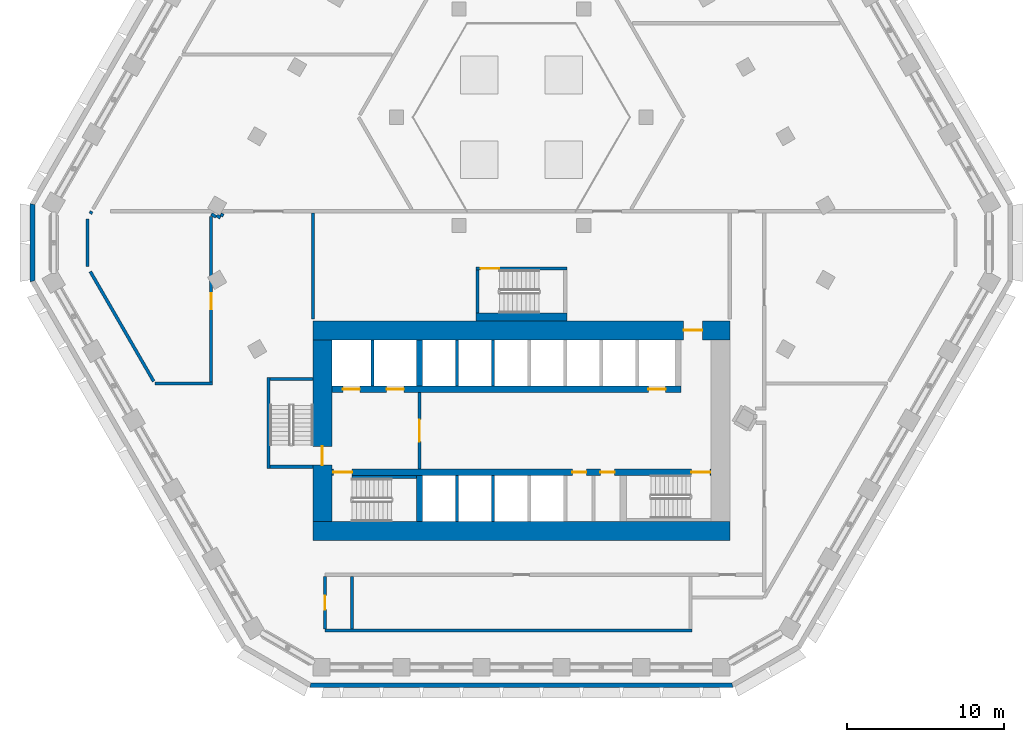
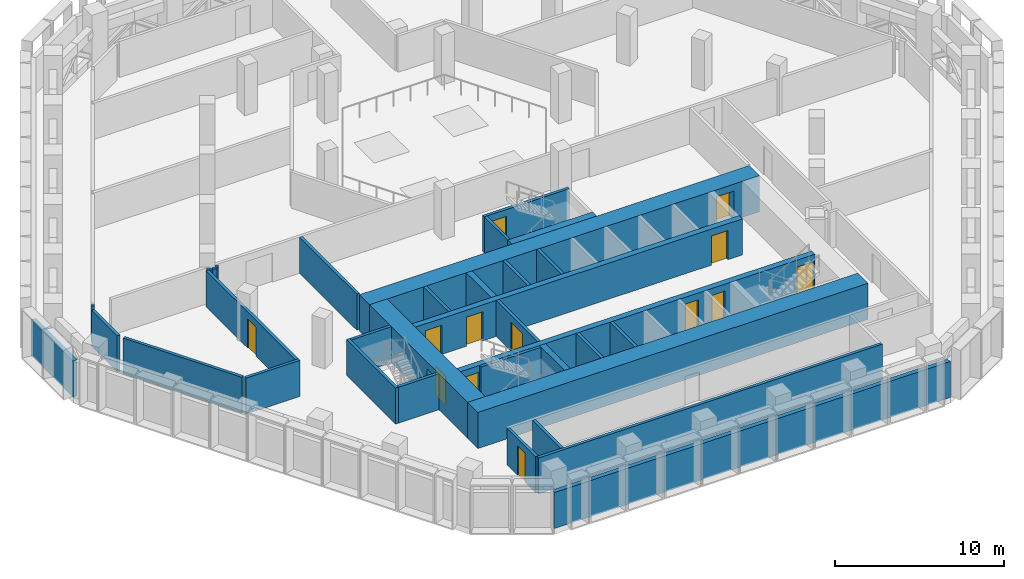
# One storey, part 11 of 22: 34 walls, 13 doors, 13 openings.
"""IFC4 building model written with IfcOpenShell, lengths in metres."""

from ifc_helpers import new_model, si_unit, direction, frame, frame_2d, origin, place, context, subcontext, project, spatial, polyline, rectangle, outline, extrude, material, layer, layer_set, type_object, element, fill, save


model = new_model("IFC4")

# Units and contexts
model_context = context("Model", 3, precision=1e-05, world=origin(), true_north=direction((0.0, 1.0)))
body_context = subcontext(model_context, "Body", "Model", "MODEL_VIEW")
ifc_project = project(units=[si_unit("LENGTHUNIT", "METRE"), si_unit("AREAUNIT", "SQUARE_METRE"), si_unit("VOLUMEUNIT", "CUBIC_METRE"), si_unit("PLANEANGLEUNIT", "RADIAN"), si_unit("MASSUNIT", "GRAM", prefix="KILO")], contexts=[model_context])

# Site, building, storey
site_placement = place(None, origin())
site = spatial("IfcSite", under=ifc_project, at=site_placement, CompositionType="ELEMENT")
building_placement = place(site_placement, origin())
building = spatial("IfcBuilding", under=site, at=building_placement, Name="Beryl Residences", CompositionType="ELEMENT")
storey_placement = place(building_placement, frame((0.0, 0.0, 62.39990234375)))
storey = spatial("IfcBuildingStorey", under=building, at=storey_placement, Name="L19", CompositionType="ELEMENT", Elevation=62.39990234375)

# Walls
ifc_material_1 = material(Name="Composite metal panel with mineral wool insulation")
ifc_layer_1 = layer(ifc_material_1, 0.300048828125)
ifc_layer_set_1 = layer_set([ifc_layer_1], Name="ES1 pale metal composite panel wall 300 mm")
wall_type_1 = type_object("IfcWallType", Name="ES1 pale metal composite panel wall 300 mm", PredefinedType="SOLIDWALL", material=ifc_layer_set_1)
wall_1_placement = place(storey_placement, frame((-31.199951171875, 2.5, 0.0), z_axis=(0.0, 0.0, 1.0), x_axis=(0.0, -1.0, 0.0)))
element("IfcWall", 1, at=wall_1_placement, inside=storey, type_object=wall_type_1, Name="ES1 external wall L19 NW-SW", PredefinedType="SOLIDWALL", context=body_context, shape_type="SweptSolid", body=[
    extrude(outline(polyline([(0.0, -0.14990234375), (5.0, -0.14990234375), (4.919677734375, 0.14990234375), (0.080322265625, 0.14990234375), (0.0, -0.14990234375)])), origin(), (0.0, 0.0, 1.0), 2.60009765625),
])
wall_2_placement = place(storey_placement, frame((-13.510009765625, -28.25, 0.0), z_axis=(0.0, 0.0, 1.0), x_axis=(1.0, 0.0, 0.0)))
element("IfcWall", 2, at=wall_2_placement, inside=storey, type_object=wall_type_1, Name="ES1 external wall L19 S", PredefinedType="SOLIDWALL", context=body_context, shape_type="SweptSolid", body=[
    extrude(outline(polyline([(0.0, -0.14990234375), (27.02001953125, -0.14990234375), (26.939697265625, 0.14990234375), (0.080322265625, 0.14990234375), (0.0, -0.14990234375)])), origin(), (0.0, 0.0, 1.0), 2.60009765625),
])

# Wall, opening, door
ifc_material_2 = material(Name="Cement board with tiles")
ifc_layer_2 = layer(ifc_material_2, 0.199951171875)
ifc_layer_set_2 = layer_set([ifc_layer_2], Name="PT11-200 wet area wall 200 mm")
wall_type_2 = type_object("IfcWallType", Name="PT11-200 wet area wall 200 mm", PredefinedType="PARTITIONING", material=ifc_layer_set_2)
wall_3_placement = place(storey_placement, frame((-12.531982421875, -24.64990234375, 0.0), z_axis=(0.0, 0.0, 1.0), x_axis=(0.0, 1.0, 0.0)))
wall_3 = element("IfcWall", 3, at=wall_3_placement, inside=storey, type_object=wall_type_2, Name="Wall PT11-200 L19 002", PredefinedType="PARTITIONING", context=body_context, shape_type="SweptSolid", body=[
    extrude(rectangle(XDim=3.349853515625, YDim=0.199951171875, at=frame_2d((1.6748046875, 0.0))), origin(), (0.0, 0.0, 1.0), 2.60009765625),
])
opening_1_placement = place(wall_3_placement, frame((2.125, 0.0, 0.0), z_axis=(0.0, 0.0, 1.0), x_axis=(-1.0, 0.0, 0.0)))
opening_1 = element("IfcOpeningElement", 4, at=opening_1_placement, cuts=wall_3, Name="Opening L19-01", PredefinedType="OPENING", context=body_context, shape_type="SweptSolid", body=[
    extrude(rectangle(XDim=0.89990234375, YDim=2.10009765625, at=frame_2d((0.449951171875, 1.050048828125))), frame((0.0, 0.10986328125, 0.0), z_axis=(0.0, -1.0, 0.0), x_axis=(1.0, 0.0, 0.0)), (0.0, 0.0, 1.0), 0.219970703125),
])
ifc_material_3 = material(Name="Timber door leaf", Category="wood")
door_type_1 = type_object("IfcDoorType", Name="D2 room door 900 x 2100 mm", OperationType="SINGLE_SWING_LEFT", PredefinedType="DOOR", material=ifc_material_3)
door_1_placement = place(opening_1_placement, origin())
door_1 = element("IfcDoor", 5, at=door_1_placement, inside=storey, type_object=door_type_1, Name="Door L19-01 L19 001", OperationType="SINGLE_SWING_RIGHT", OverallHeight=2.10009765625, OverallWidth=0.89990234375, PredefinedType="DOOR", context=body_context, shape_type="SweptSolid", body=[
    extrude(rectangle(XDim=0.89990234375, YDim=2.10009765625, at=frame_2d((0.449951171875, 1.050048828125))), frame((0.0, 0.02490234375, 0.0), z_axis=(0.0, -1.0, 0.0), x_axis=(1.0, 0.0, 0.0)), (0.0, 0.0, 1.0), 0.050048828125),
])
fill(opening_1, door_1)

ifc_material_4 = material(Name="Concrete masonry", Category="masonry")
ifc_layer_3 = layer(ifc_material_4, 0.199951171875)
ifc_layer_set_3 = layer_set([ifc_layer_3], Name="PT13 lobby wall 200 mm")
wall_type_3 = type_object("IfcWallType", Name="PT13 lobby wall 200 mm", PredefinedType="PARTITIONING", material=ifc_layer_set_3)
wall_4_placement = place(storey_placement, frame((-6.5, -14.449951171875, 0.0), z_axis=(0.0, 0.0, 1.0), x_axis=(0.0, 1.0, 0.0)))
wall_4 = element("IfcWall", 6, at=wall_4_placement, inside=storey, type_object=wall_type_3, Name="Lobby wall 06", PredefinedType="PARTITIONING", context=body_context, shape_type="SweptSolid", body=[
    extrude(rectangle(XDim=4.89990234375, YDim=0.199951171875, at=frame_2d((2.449951171875, 0.0))), origin(), (0.0, 0.0, 1.0), 2.60009765625),
])
opening_2_placement = place(wall_4_placement, frame((3.14990234375, 0.0, 0.0), z_axis=(0.0, 0.0, 1.0), x_axis=(-1.0, 0.0, 0.0)))
opening_2 = element("IfcOpeningElement", 7, at=opening_2_placement, cuts=wall_4, Name="Opening FD-FFL", PredefinedType="OPENING", context=body_context, shape_type="SweptSolid", body=[
    extrude(rectangle(XDim=1.39990234375, YDim=2.10009765625, at=frame_2d((0.699951171875, 1.050048828125))), frame((0.0, 0.10986328125, 0.0), z_axis=(0.0, -1.0, 0.0), x_axis=(1.0, 0.0, 0.0)), (0.0, 0.0, 1.0), 0.219970703125),
])
ifc_material_5 = material(Name="Steel door leaf in steel frame", Category="steel")
door_type_2 = type_object("IfcDoorType", Name="D5 lobby door 1400 x 2100 mm", OperationType="DOUBLE_DOOR_SINGLE_SWING", PredefinedType="DOOR", material=ifc_material_5)
door_2_placement = place(opening_2_placement, origin())
door_2 = element("IfcDoor", 8, at=door_2_placement, inside=storey, type_object=door_type_2, Name="Door FD-FFL L19 001", OperationType="DOUBLE_DOOR_SINGLE_SWING", OverallHeight=2.10009765625, OverallWidth=1.39990234375, PredefinedType="DOOR", context=body_context, shape_type="SweptSolid", body=[
    extrude(rectangle(XDim=1.39990234375, YDim=2.10009765625, at=frame_2d((0.699951171875, 1.050048828125))), frame((0.0, 0.02490234375, 0.0), z_axis=(0.0, -1.0, 0.0), x_axis=(1.0, 0.0, 0.0)), (0.0, 0.0, 1.0), 0.050048828125),
])
fill(opening_2, door_2)

# Wall
ifc_material_6 = material(Name="Double stud gypsum board wall")
ifc_layer_4 = layer(ifc_material_6, 0.199951171875)
ifc_layer_set_4 = layer_set([ifc_layer_4], Name="PT4 corridor wall 200 mm double stud")
wall_type_4 = type_object("IfcWallType", Name="PT4 corridor wall 200 mm double stud", PredefinedType="PARTITIONING", material=ifc_layer_set_4)
wall_5_placement = place(storey_placement, frame((-13.300048828125, -4.8798828125, 0.0), z_axis=(0.0, 0.0, 1.0), x_axis=(0.0, 1.0, 0.0)))
element("IfcWall", 9, at=wall_5_placement, inside=storey, type_object=wall_type_4, Name="Wall PT4 L19 001", PredefinedType="PARTITIONING", context=body_context, shape_type="SweptSolid", body=[
    extrude(rectangle(XDim=6.77978515625, YDim=0.199951171875, at=frame_2d((3.389892578125, 0.0))), origin(), (0.0, 0.0, 1.0), 2.60009765625),
])

# Wall, opening, door
ifc_material_7 = material(Name="Concrete C40/50", Category="concrete")
ifc_layer_5 = layer(ifc_material_7, 0.199951171875)
ifc_layer_set_5 = layer_set([ifc_layer_5], Name="PT5 stair enclosure wall 200 mm reinforced concrete C40/50")
wall_type_5 = type_object("IfcWallType", Name="PT5 stair enclosure wall 200 mm reinforced concrete C40/50", PredefinedType="SOLIDWALL", material=ifc_layer_set_5)
wall_6_placement = place(storey_placement, frame((-2.89990234375, -1.64990234375, 0.0), z_axis=(0.0, 0.0, 1.0), x_axis=(1.0, 0.0, 0.0)))
wall_6 = element("IfcWall", 10, at=wall_6_placement, inside=storey, type_object=wall_type_5, Name="Wall PT5 L19 001", PredefinedType="SOLIDWALL", context=body_context, shape_type="SweptSolid", body=[
    extrude(rectangle(XDim=5.7998046875, YDim=0.199951171875, at=frame_2d((2.89990234375, 0.0))), origin(), (0.0, 0.0, 1.0), 2.60009765625),
])
opening_3_placement = place(wall_6_placement, frame((0.300048828125, 0.0, 0.0)))
opening_3 = element("IfcOpeningElement", 11, at=opening_3_placement, cuts=wall_6, Name="Opening DS04", PredefinedType="OPENING", context=body_context, shape_type="SweptSolid", body=[
    extrude(rectangle(XDim=1.199951171875, YDim=2.10009765625, at=frame_2d((0.60009765625, 1.050048828125))), frame((0.0, 0.10986328125, 0.0), z_axis=(0.0, -1.0, 0.0), x_axis=(1.0, 0.0, 0.0)), (0.0, 0.0, 1.0), 0.219970703125),
])
ifc_material_8 = material(Name="Steel door leaf in steel frame", Category="steel")
door_type_3 = type_object("IfcDoorType", Name="D4 stair door 1200 x 2100 mm", OperationType="SINGLE_SWING_LEFT", PredefinedType="DOOR", material=ifc_material_8)
door_3_placement = place(opening_3_placement, origin())
door_3 = element("IfcDoor", 12, at=door_3_placement, inside=storey, type_object=door_type_3, Name="Door DS04 L19 001", OperationType="SINGLE_SWING_LEFT", OverallHeight=2.10009765625, OverallWidth=1.199951171875, PredefinedType="DOOR", context=body_context, shape_type="SweptSolid", body=[
    extrude(rectangle(XDim=1.199951171875, YDim=2.10009765625, at=frame_2d((0.60009765625, 1.050048828125))), frame((0.0, 0.02490234375, 0.0), z_axis=(0.0, -1.0, 0.0), x_axis=(1.0, 0.0, 0.0)), (0.0, 0.0, 1.0), 0.050048828125),
])
fill(opening_3, door_3)

# Walls
wall_7_placement = place(storey_placement, frame((-2.800048828125, -4.5, 0.0), z_axis=(0.0, 0.0, 1.0), x_axis=(0.0, 1.0, 0.0)))
element("IfcWall", 13, at=wall_7_placement, inside=storey, type_object=wall_type_5, Name="Wall PT5 L19 002", PredefinedType="SOLIDWALL", context=body_context, shape_type="SweptSolid", body=[
    extrude(rectangle(XDim=2.75, YDim=0.199951171875, at=frame_2d((1.375, 0.0))), origin(), (0.0, 0.0, 1.0), 2.60009765625),
])
wall_8_placement = place(storey_placement, frame((-16.14990234375, -14.39990234375, 0.0), z_axis=(0.0, 0.0, 1.0), x_axis=(0.0, 1.0, 0.0)))
element("IfcWall", 14, at=wall_8_placement, inside=storey, type_object=wall_type_5, Name="Stair wall 01", PredefinedType="SOLIDWALL", context=body_context, shape_type="SweptSolid", body=[
    extrude(rectangle(XDim=5.7998046875, YDim=0.199951171875, at=frame_2d((2.89990234375, 0.0))), origin(), (0.0, 0.0, 1.0), 2.60009765625),
])
for number, where, z_axis, x_axis, name in (
    (15, (-16.050048828125, -14.300048828125, 0.0), (0.0, 0.0, 1.0), (1.0, 0.0, 0.0), "Stair wall 02"),
    (16, (-16.050048828125, -8.699951171875, 0.0), (0.0, 0.0, 1.0), (1.0, 0.0, 0.0), "Stair wall 03"),
):
    element("IfcWall", number, at=place(storey_placement, frame(where, z_axis=z_axis, x_axis=x_axis)), inside=storey, type_object=wall_type_5, Name=name, PredefinedType="SOLIDWALL", context=body_context, shape_type="SweptSolid", body=[
        extrude(rectangle(XDim=2.75, YDim=0.199951171875, at=frame_2d((1.375, 0.0))), origin(), (0.0, 0.0, 1.0), 2.60009765625),
    ])
wall_9_placement = place(storey_placement, frame((-10.800048828125, -14.949951171875, 0.0), z_axis=(0.0, 0.0, 1.0), x_axis=(1.0, 0.0, 0.0)))
element("IfcWall", 17, at=wall_9_placement, inside=storey, type_object=wall_type_5, Name="Stair wall 04", PredefinedType="SOLIDWALL", context=body_context, shape_type="SweptSolid", body=[
    extrude(rectangle(XDim=4.10009765625, YDim=0.199951171875, at=frame_2d((2.050048828125, 0.0))), origin(), (0.0, 0.0, 1.0), 2.60009765625),
])
ifc_material_9 = material(Name="Concrete C40/50", Category="concrete")
ifc_layer_6 = layer(ifc_material_9, 0.5)
ifc_layer_set_6 = layer_set([ifc_layer_6], Name="PT5-500 stair enclosure wall 500 mm")
wall_type_6 = type_object("IfcWallType", Name="PT5-500 stair enclosure wall 500 mm", PredefinedType="SOLIDWALL", material=ifc_layer_set_6)
wall_10_placement = place(storey_placement, frame((-2.89990234375, -4.75, 0.0), z_axis=(0.0, 0.0, 1.0), x_axis=(1.0, 0.0, 0.0)))
element("IfcWall", 18, at=wall_10_placement, inside=storey, type_object=wall_type_6, Name="Wall PT5-500 L19 001", PredefinedType="SOLIDWALL", context=body_context, shape_type="SweptSolid", body=[
    extrude(rectangle(XDim=5.7998046875, YDim=0.5, at=frame_2d((2.89990234375, 0.0))), origin(), (0.0, 0.0, 1.0), 2.60009765625),
])
ifc_material_10 = material(Name="Concrete C40/50", Category="concrete")
ifc_layer_7 = layer(ifc_material_10, 0.199951171875)
ifc_layer_set_7 = layer_set([ifc_layer_7], Name="PT6 lift shaft wall 200 mm reinforced concrete C40/50")
wall_type_7 = type_object("IfcWallType", Name="PT6 lift shaft wall 200 mm reinforced concrete C40/50", PredefinedType="SOLIDWALL", material=ifc_layer_set_7)
for number, where, z_axis, x_axis, name in (
    (19, (-9.5, -9.14990234375, 0.0), (0.0, 0.0, 1.0), (0.0, 1.0, 0.0), "Lift shaft wall 05"),
    (20, (-4.10009765625, -17.800048828125, 0.0), (0.0, 0.0, 1.0), (0.0, 1.0, 0.0), "Lift shaft wall 07"),
    (21, (-4.10009765625, -9.14990234375, 0.0), (0.0, 0.0, 1.0), (0.0, 1.0, 0.0), "Lift shaft wall 08"),
    (22, (-1.800048828125, -17.800048828125, 0.0), (0.0, 0.0, 1.0), (0.0, 1.0, 0.0), "Lift shaft wall 09"),
    (23, (-1.800048828125, -9.14990234375, 0.0), (0.0, 0.0, 1.0), (0.0, 1.0, 0.0), "Lift shaft wall 10"),
):
    element("IfcWall", number, at=place(storey_placement, frame(where, z_axis=z_axis, x_axis=x_axis)), inside=storey, type_object=wall_type_7, Name=name, PredefinedType="SOLIDWALL", context=body_context, shape_type="SweptSolid", body=[
        extrude(rectangle(XDim=2.949951171875, YDim=0.199951171875, at=frame_2d((1.47509765625, 0.0))), origin(), (0.0, 0.0, 1.0), 2.60009765625),
    ])
ifc_material_11 = material(Name="Concrete masonry", Category="masonry")
ifc_layer_8 = layer(ifc_material_11, 0.199951171875)
ifc_layer_set_8 = layer_set([ifc_layer_8], Name="PT8-200 service room wall 200 mm")
wall_type_8 = type_object("IfcWallType", Name="PT8-200 service room wall 200 mm", PredefinedType="PARTITIONING", material=ifc_layer_set_8)
wall_11_placement = place(storey_placement, frame((-12.531982421875, -24.75, 0.0), z_axis=(0.0, 0.0, 1.0), x_axis=(1.0, 0.0, 0.0)))
element("IfcWall", 24, at=wall_11_placement, inside=storey, type_object=wall_type_8, Name="Wall PT8-200 L19 001", PredefinedType="PARTITIONING", context=body_context, shape_type="SweptSolid", body=[
    extrude(rectangle(XDim=23.431884765625, YDim=0.199951171875, at=frame_2d((11.7158203125, 0.0))), origin(), (0.0, 0.0, 1.0), 2.60009765625),
])
wall_12_placement = place(storey_placement, frame((-10.800048828125, -24.64990234375, 0.0), z_axis=(0.0, 0.0, 1.0), x_axis=(0.0, 1.0, 0.0)))
element("IfcWall", 25, at=wall_12_placement, inside=storey, type_object=wall_type_8, Name="Wall PT8-200 L19 004", PredefinedType="PARTITIONING", context=body_context, shape_type="SweptSolid", body=[
    extrude(rectangle(XDim=3.349853515625, YDim=0.199951171875, at=frame_2d((1.6748046875, 0.0))), origin(), (0.0, 0.0, 1.0), 2.60009765625),
])
ifc_material_12 = material(Name="Concrete C40/50", Category="concrete")
ifc_layer_9 = layer(ifc_material_12, 0.199951171875)
ifc_layer_set_9 = layer_set([ifc_layer_9], Name="PT9-200 plant room wall 200 mm")
wall_type_9 = type_object("IfcWallType", Name="PT9-200 plant room wall 200 mm", PredefinedType="SOLIDWALL", material=ifc_layer_set_9)
wall_13_placement = place(storey_placement, frame((-23.382080078125, -9.0, 0.0), z_axis=(0.0, 0.0, 1.0), x_axis=(1.0, 0.0, 0.0)))
element("IfcWall", 26, at=wall_13_placement, inside=storey, type_object=wall_type_9, Name="Wall PT9-200 L19 003", PredefinedType="SOLIDWALL", context=body_context, shape_type="SweptSolid", body=[
    extrude(rectangle(XDim=3.68212890625, YDim=0.199951171875, at=frame_2d((1.841064453125, 0.0))), origin(), (0.0, 0.0, 1.0), 2.60009765625),
])
wall_14_placement = place(storey_placement, frame((-27.699951171875, -1.52197265625, 0.0), z_axis=(0.0, 0.0, 1.0), x_axis=(0.0, 1.0, 0.0)))
element("IfcWall", 27, at=wall_14_placement, inside=storey, type_object=wall_type_9, Name="Wall PT9-200 L19 012", PredefinedType="SOLIDWALL", context=body_context, shape_type="SweptSolid", body=[
    extrude(rectangle(XDim=3.0439453125, YDim=0.199951171875, at=frame_2d((1.52197265625, 0.0))), origin(), (0.0, 0.0, 1.0), 2.60009765625),
])

# Wall, opening, door
wall_15_placement = place(storey_placement, frame((-19.800048828125, -8.89990234375, 0.0), z_axis=(0.0, 0.0, 1.0), x_axis=(0.0, 1.0, 0.0)))
wall_15 = element("IfcWall", 28, at=wall_15_placement, inside=storey, type_object=wall_type_9, Name="Wall PT9-200 L19 013", PredefinedType="SOLIDWALL", context=body_context, shape_type="SweptSolid", body=[
    extrude(rectangle(XDim=10.559814453125, YDim=0.199951171875, at=frame_2d((5.27978515625, 0.0))), origin(), (0.0, 0.0, 1.0), 2.60009765625),
])
opening_4_placement = place(wall_15_placement, frame((4.656982421875, 0.0, 0.0)))
opening_4 = element("IfcOpeningElement", 29, at=opening_4_placement, cuts=wall_15, Name="Opening L19-09", PredefinedType="OPENING", context=body_context, shape_type="SweptSolid", body=[
    extrude(rectangle(XDim=1.0, YDim=2.10009765625, at=frame_2d((0.5, 1.050048828125))), frame((0.0, 0.10986328125, 0.0), z_axis=(0.0, -1.0, 0.0), x_axis=(1.0, 0.0, 0.0)), (0.0, 0.0, 1.0), 0.219970703125),
])
ifc_material_13 = material(Name="Steel door leaf in steel frame", Category="steel")
door_type_4 = type_object("IfcDoorType", Name="D16 plant room door 1000 x 2100 mm", OperationType="SINGLE_SWING_LEFT", PredefinedType="DOOR", material=ifc_material_13)
door_4_placement = place(opening_4_placement, origin())
door_4 = element("IfcDoor", 30, at=door_4_placement, inside=storey, type_object=door_type_4, Name="Door L19-09 L19 001", OperationType="SINGLE_SWING_LEFT", OverallHeight=2.10009765625, OverallWidth=1.0, PredefinedType="DOOR", context=body_context, shape_type="SweptSolid", body=[
    extrude(rectangle(XDim=1.0, YDim=2.10009765625, at=frame_2d((0.5, 1.050048828125))), frame((0.0, 0.02490234375, 0.0), z_axis=(0.0, -1.0, 0.0), x_axis=(1.0, 0.0, 0.0)), (0.0, 0.0, 1.0), 0.050048828125),
])
fill(opening_4, door_4)

# Walls
wall_16_placement = place(storey_placement, frame((-19.43994140625, 1.72412109375, 0.0), z_axis=(0.0, 0.0, 1.0), x_axis=(0.865821204386, -0.500353517061, 0.0)))
element("IfcWall", 31, at=wall_16_placement, inside=storey, type_object=wall_type_9, Name="Wall PT9-200 L19 022", PredefinedType="SOLIDWALL", context=body_context, shape_type="SweptSolid", body=[
    extrude(rectangle(XDim=0.267822265625, YDim=0.199951171875, at=frame_2d((0.1337890625, 0.0))), origin(), (0.0, 0.0, 1.0), 2.60009765625),
])
wall_17_placement = place(storey_placement, frame((-19.791015625, 1.822021484375, 0.0), z_axis=(0.0, 0.0, 1.0), x_axis=(0.865552376308, -0.500818414065, 0.0)))
element("IfcWall", 32, at=wall_17_placement, inside=storey, type_object=wall_type_9, Name="Wall PT9-200 L19 023", PredefinedType="SOLIDWALL", context=body_context, shape_type="SweptSolid", body=[
    extrude(rectangle(XDim=0.353515625, YDim=0.199951171875, at=frame_2d((0.1767578125, 0.0))), origin(), (0.0, 0.0, 1.0), 2.60009765625),
])
wall_18_placement = place(storey_placement, frame((-27.512939453125, -1.844970703125, 0.0), z_axis=(0.0, 0.0, 1.0), x_axis=(0.499956732914, -0.866050382607, 0.0)))
element("IfcWall", 33, at=wall_18_placement, inside=storey, type_object=wall_type_9, Name="Wall PT9-200 L19 025", PredefinedType="SOLIDWALL", context=body_context, shape_type="SweptSolid", body=[
    extrude(rectangle(XDim=8.088623046875, YDim=0.199951171875, at=frame_2d((4.04443359375, 0.0))), origin(), (0.0, 0.0, 1.0), 2.60009765625),
])
wall_19_placement = place(storey_placement, frame((-27.512939453125, 1.844970703125, 0.0), z_axis=(0.0, 0.0, 1.0), x_axis=(0.497315560673, 0.867569728098, 0.0)))
element("IfcWall", 34, at=wall_19_placement, inside=storey, type_object=wall_type_9, Name="Wall PT9-200 L19 034", PredefinedType="SOLIDWALL", context=body_context, shape_type="SweptSolid", body=[
    extrude(rectangle(XDim=0.1787109375, YDim=0.199951171875, at=frame_2d((0.08935546875, 0.0))), origin(), (0.0, 0.0, 1.0), 2.60009765625),
])
wall_20_placement = place(storey_placement, frame((-19.157958984375, 1.677001953125, 0.0), z_axis=(0.0, 0.0, 1.0), x_axis=(0.500036104519, 0.866004557827, 0.0)))
element("IfcWall", 35, at=wall_20_placement, inside=storey, type_object=wall_type_9, Name="Wall PT9-200 L19 039", PredefinedType="SOLIDWALL", context=body_context, shape_type="SweptSolid", body=[
    extrude(rectangle(XDim=0.2021484375, YDim=0.199951171875, at=frame_2d((0.10107421875, 0.0))), origin(), (0.0, 0.0, 1.0), 2.60009765625),
])
ifc_material_14 = material(Name="Concrete C80/95", Category="concrete")
ifc_layer_10 = layer(ifc_material_14, 1.199951171875)
ifc_layer_set_10 = layer_set([ifc_layer_10], Name="SW1 core outer wall 1200 mm C80/95")
wall_type_10 = type_object("IfcWallType", Name="SW1 core outer wall 1200 mm C80/95", PredefinedType="SHEAR", material=ifc_layer_set_10)
wall_21_placement = place(storey_placement, frame((-13.300048828125, -18.39990234375, 0.0), z_axis=(0.0, 0.0, 1.0), x_axis=(1.0, 0.0, 0.0)))
element("IfcWall", 36, at=wall_21_placement, inside=storey, type_object=wall_type_10, Name="Core wall S L19", PredefinedType="SHEAR", context=body_context, shape_type="SweptSolid", body=[
    extrude(rectangle(XDim=26.60009765625, YDim=1.199951171875, at=frame_2d((13.300048828125, 0.0))), origin(), (0.0, 0.0, 1.0), 2.60009765625),
])

# Wall, opening, door
wall_22_placement = place(storey_placement, frame((-13.300048828125, -5.60009765625, 0.0), z_axis=(0.0, 0.0, 1.0), x_axis=(1.0, 0.0, 0.0)))
wall_22 = element("IfcWall", 37, at=wall_22_placement, inside=storey, type_object=wall_type_10, Name="Core wall N L19", PredefinedType="SHEAR", context=body_context, shape_type="SweptSolid", body=[
    extrude(rectangle(XDim=26.60009765625, YDim=1.199951171875, at=frame_2d((13.300048828125, 0.0))), origin(), (0.0, 0.0, 1.0), 2.60009765625),
])
opening_5_placement = place(wall_22_placement, frame((23.64990234375, 0.0, 0.0)))
opening_5 = element("IfcOpeningElement", 38, at=opening_5_placement, cuts=wall_22, Name="Opening FD-NORTH", PredefinedType="OPENING", context=body_context, shape_type="SweptSolid", body=[
    extrude(rectangle(XDim=1.199951171875, YDim=2.10009765625, at=frame_2d((0.60009765625, 1.050048828125))), frame((0.0, 0.60986328125, 0.0), z_axis=(0.0, -1.0, 0.0), x_axis=(1.0, 0.0, 0.0)), (0.0, 0.0, 1.0), 1.219970703125),
])
ifc_material_15 = material(Name="Steel door leaf in steel frame", Category="steel")
door_type_5 = type_object("IfcDoorType", Name="D22 lobby door 1200 x 2100 mm", OperationType="DOUBLE_DOOR_SINGLE_SWING", PredefinedType="DOOR", material=ifc_material_15)
door_5_placement = place(opening_5_placement, origin())
door_5 = element("IfcDoor", 39, at=door_5_placement, inside=storey, type_object=door_type_5, Name="Door FD-NORTH L19 001", OperationType="DOUBLE_DOOR_SINGLE_SWING", OverallHeight=2.10009765625, OverallWidth=1.199951171875, PredefinedType="DOOR", context=body_context, shape_type="SweptSolid", body=[
    extrude(rectangle(XDim=1.199951171875, YDim=2.10009765625, at=frame_2d((0.60009765625, 1.050048828125))), frame((0.0, 0.02490234375, 0.0), z_axis=(0.0, -1.0, 0.0), x_axis=(1.0, 0.0, 0.0)), (0.0, 0.0, 1.0), 0.050048828125),
])
fill(opening_5, door_5)

wall_23_placement = place(storey_placement, frame((-12.699951171875, -17.800048828125, 0.0), z_axis=(0.0, 0.0, 1.0), x_axis=(0.0, 1.0, 0.0)))
wall_23 = element("IfcWall", 40, at=wall_23_placement, inside=storey, type_object=wall_type_10, Name="Core wall W L19", PredefinedType="SHEAR", context=body_context, shape_type="SweptSolid", body=[
    extrude(rectangle(XDim=11.60009765625, YDim=1.199951171875, at=frame_2d((5.800048828125, 0.0))), origin(), (0.0, 0.0, 1.0), 2.60009765625),
])
opening_6_placement = place(wall_23_placement, frame((3.60009765625, 0.0, 0.0)))
opening_6 = element("IfcOpeningElement", 41, at=opening_6_placement, cuts=wall_23, Name="Opening SD-2", PredefinedType="OPENING", context=body_context, shape_type="SweptSolid", body=[
    extrude(rectangle(XDim=1.199951171875, YDim=2.10009765625, at=frame_2d((0.60009765625, 1.050048828125))), frame((0.0, 0.60986328125, 0.0), z_axis=(0.0, -1.0, 0.0), x_axis=(1.0, 0.0, 0.0)), (0.0, 0.0, 1.0), 1.219970703125),
])
door_6_placement = place(opening_6_placement, origin())
door_6 = element("IfcDoor", 42, at=door_6_placement, inside=storey, type_object=door_type_3, Name="Door SD-2 L19 001", OperationType="SINGLE_SWING_RIGHT", OverallHeight=2.10009765625, OverallWidth=1.199951171875, PredefinedType="DOOR", context=body_context, shape_type="SweptSolid", body=[
    extrude(rectangle(XDim=1.199951171875, YDim=2.10009765625, at=frame_2d((0.60009765625, 1.050048828125))), frame((0.0, 0.02490234375, 0.0), z_axis=(0.0, -1.0, 0.0), x_axis=(1.0, 0.0, 0.0)), (0.0, 0.0, 1.0), 0.050048828125),
])
fill(opening_6, door_6)

# Wall, openings, doors
ifc_material_16 = material(Name="Concrete C80/95", Category="concrete")
ifc_layer_11 = layer(ifc_material_16, 0.39990234375)
ifc_layer_set_11 = layer_set([ifc_layer_11], Name="SW6 core internal wall 400 mm C80/95")
wall_type_11 = type_object("IfcWallType", Name="SW6 core internal wall 400 mm C80/95", PredefinedType="SHEAR", material=ifc_layer_set_11)
wall_24_placement = place(storey_placement, frame((-12.10009765625, -14.64990234375, 0.0), z_axis=(0.0, 0.0, 1.0), x_axis=(1.0, 0.0, 0.0)))
wall_24 = element("IfcWall", 43, at=wall_24_placement, inside=storey, type_object=wall_type_11, Name="Core wall SP1 L19", PredefinedType="SHEAR", context=body_context, shape_type="SweptSolid", body=[
    extrude(rectangle(XDim=24.2001953125, YDim=0.39990234375, at=frame_2d((12.10009765625, 0.0))), origin(), (0.0, 0.0, 1.0), 2.60009765625),
])
opening_7_placement = place(wall_24_placement, frame((1.300048828125, 0.0, 0.0), z_axis=(0.0, 0.0, 1.0), x_axis=(-1.0, 0.0, 0.0)))
opening_7 = element("IfcOpeningElement", 44, at=opening_7_placement, cuts=wall_24, Name="Opening SD-1", PredefinedType="OPENING", context=body_context, shape_type="SweptSolid", body=[
    extrude(rectangle(XDim=1.199951171875, YDim=2.10009765625, at=frame_2d((0.60009765625, 1.050048828125))), frame((0.0, 0.2099609375, 0.0), z_axis=(0.0, -1.0, 0.0), x_axis=(1.0, 0.0, 0.0)), (0.0, 0.0, 1.0), 0.419921875),
])
opening_8_placement = place(wall_24_placement, frame((24.14990234375, 0.0, 0.0), z_axis=(0.0, 0.0, 1.0), x_axis=(-1.0, 0.0, 0.0)))
opening_8 = element("IfcOpeningElement", 45, at=opening_8_placement, cuts=wall_24, Name="Opening SD-3", PredefinedType="OPENING", context=body_context, shape_type="SweptSolid", body=[
    extrude(rectangle(XDim=1.199951171875, YDim=2.10009765625, at=frame_2d((0.60009765625, 1.050048828125))), frame((0.0, 0.2099609375, 0.0), z_axis=(0.0, -1.0, 0.0), x_axis=(1.0, 0.0, 0.0)), (0.0, 0.0, 1.0), 0.419921875),
])
opening_9_placement = place(wall_24_placement, frame((16.25, 0.0, 0.0), z_axis=(0.0, 0.0, 1.0), x_axis=(-1.0, 0.0, 0.0)))
opening_9 = element("IfcOpeningElement", 46, at=opening_9_placement, cuts=wall_24, Name="Opening CD-D-S1-900", PredefinedType="OPENING", context=body_context, shape_type="SweptSolid", body=[
    extrude(rectangle(XDim=0.89990234375, YDim=2.10009765625, at=frame_2d((0.449951171875, 1.050048828125))), frame((0.0, 0.2099609375, 0.0), z_axis=(0.0, -1.0, 0.0), x_axis=(1.0, 0.0, 0.0)), (0.0, 0.0, 1.0), 0.419921875),
])
opening_10_placement = place(wall_24_placement, frame((18.0498046875, 0.0, 0.0), z_axis=(0.0, 0.0, 1.0), x_axis=(-1.0, 0.0, 0.0)))
opening_10 = element("IfcOpeningElement", 47, at=opening_10_placement, cuts=wall_24, Name="Opening CD-D-S2-900", PredefinedType="OPENING", context=body_context, shape_type="SweptSolid", body=[
    extrude(rectangle(XDim=0.89990234375, YDim=2.10009765625, at=frame_2d((0.449951171875, 1.050048828125))), frame((0.0, 0.2099609375, 0.0), z_axis=(0.0, -1.0, 0.0), x_axis=(1.0, 0.0, 0.0)), (0.0, 0.0, 1.0), 0.419921875),
])
door_7_placement = place(opening_7_placement, origin())
door_7 = element("IfcDoor", 48, at=door_7_placement, inside=storey, type_object=door_type_3, Name="Door SD-1 L19 001", OperationType="SINGLE_SWING_RIGHT", OverallHeight=2.10009765625, OverallWidth=1.199951171875, PredefinedType="DOOR", context=body_context, shape_type="SweptSolid", body=[
    extrude(rectangle(XDim=1.199951171875, YDim=2.10009765625, at=frame_2d((0.60009765625, 1.050048828125))), frame((0.0, 0.02490234375, 0.0), z_axis=(0.0, -1.0, 0.0), x_axis=(1.0, 0.0, 0.0)), (0.0, 0.0, 1.0), 0.050048828125),
])
fill(opening_7, door_7)
door_8_placement = place(opening_8_placement, origin())
door_8 = element("IfcDoor", 49, at=door_8_placement, inside=storey, type_object=door_type_3, Name="Door SD-3 L19 001", OperationType="SINGLE_SWING_RIGHT", OverallHeight=2.10009765625, OverallWidth=1.199951171875, PredefinedType="DOOR", context=body_context, shape_type="SweptSolid", body=[
    extrude(rectangle(XDim=1.199951171875, YDim=2.10009765625, at=frame_2d((0.60009765625, 1.050048828125))), frame((0.0, 0.02490234375, 0.0), z_axis=(0.0, -1.0, 0.0), x_axis=(1.0, 0.0, 0.0)), (0.0, 0.0, 1.0), 0.050048828125),
])
fill(opening_8, door_8)
ifc_material_17 = material(Name="Steel door leaf in steel frame", Category="steel")
door_type_6 = type_object("IfcDoorType", Name="D6 service room door 900 x 2100 mm", OperationType="SINGLE_SWING_LEFT", PredefinedType="DOOR", material=ifc_material_17)
door_9_placement = place(opening_9_placement, origin())
door_9 = element("IfcDoor", 50, at=door_9_placement, inside=storey, type_object=door_type_6, Name="Door CD-D-S1-900 L19 001", OperationType="SINGLE_SWING_RIGHT", OverallHeight=2.10009765625, OverallWidth=0.89990234375, PredefinedType="DOOR", context=body_context, shape_type="SweptSolid", body=[
    extrude(rectangle(XDim=0.89990234375, YDim=2.10009765625, at=frame_2d((0.449951171875, 1.050048828125))), frame((0.0, 0.02490234375, 0.0), z_axis=(0.0, -1.0, 0.0), x_axis=(1.0, 0.0, 0.0)), (0.0, 0.0, 1.0), 0.050048828125),
])
fill(opening_9, door_9)
door_10_placement = place(opening_10_placement, origin())
door_10 = element("IfcDoor", 51, at=door_10_placement, inside=storey, type_object=door_type_6, Name="Door CD-D-S2-900 L19 001", OperationType="SINGLE_SWING_LEFT", OverallHeight=2.10009765625, OverallWidth=0.89990234375, PredefinedType="DOOR", context=body_context, shape_type="SweptSolid", body=[
    extrude(rectangle(XDim=0.89990234375, YDim=2.10009765625, at=frame_2d((0.449951171875, 1.050048828125))), frame((0.0, 0.02490234375, 0.0), z_axis=(0.0, -1.0, 0.0), x_axis=(1.0, 0.0, 0.0)), (0.0, 0.0, 1.0), 0.050048828125),
])
fill(opening_10, door_10)

wall_25_placement = place(storey_placement, frame((-12.10009765625, -9.35009765625, 0.0), z_axis=(0.0, 0.0, 1.0), x_axis=(1.0, 0.0, 0.0)))
wall_25 = element("IfcWall", 52, at=wall_25_placement, inside=storey, type_object=wall_type_11, Name="Core wall SP2 L19", PredefinedType="SHEAR", context=body_context, shape_type="SweptSolid", body=[
    extrude(rectangle(XDim=22.300048828125, YDim=0.39990234375, at=frame_2d((11.14990234375, 0.0))), origin(), (0.0, 0.0, 1.0), 2.60009765625),
])
opening_11_placement = place(wall_25_placement, frame((0.699951171875, 0.0, 0.0)))
opening_11 = element("IfcOpeningElement", 53, at=opening_11_placement, cuts=wall_25, Name="Opening LD-FF1", PredefinedType="OPENING", context=body_context, shape_type="SweptSolid", body=[
    extrude(rectangle(XDim=1.10009765625, YDim=2.10009765625, at=frame_2d((0.550048828125, 1.050048828125))), frame((0.0, 0.2099609375, 0.0), z_axis=(0.0, -1.0, 0.0), x_axis=(1.0, 0.0, 0.0)), (0.0, 0.0, 1.0), 0.419921875),
])
opening_12_placement = place(wall_25_placement, frame((3.5, 0.0, 0.0)))
opening_12 = element("IfcOpeningElement", 54, at=opening_12_placement, cuts=wall_25, Name="Opening LD-FF2", PredefinedType="OPENING", context=body_context, shape_type="SweptSolid", body=[
    extrude(rectangle(XDim=1.10009765625, YDim=2.10009765625, at=frame_2d((0.550048828125, 1.050048828125))), frame((0.0, 0.2099609375, 0.0), z_axis=(0.0, -1.0, 0.0), x_axis=(1.0, 0.0, 0.0)), (0.0, 0.0, 1.0), 0.419921875),
])
opening_13_placement = place(wall_25_placement, frame((20.199951171875, 0.0, 0.0)))
opening_13 = element("IfcOpeningElement", 55, at=opening_13_placement, cuts=wall_25, Name="Opening LD-SL1", PredefinedType="OPENING", context=body_context, shape_type="SweptSolid", body=[
    extrude(rectangle(XDim=1.10009765625, YDim=2.10009765625, at=frame_2d((0.550048828125, 1.050048828125))), frame((0.0, 0.2099609375, 0.0), z_axis=(0.0, -1.0, 0.0), x_axis=(1.0, 0.0, 0.0)), (0.0, 0.0, 1.0), 0.419921875),
])
ifc_material_18 = material(Name="Stainless steel sliding door", Category="steel")
door_type_7 = type_object("IfcDoorType", Name="LD1 lift landing door 1100 x 2100 mm", OperationType="DOUBLE_DOOR_SLIDING", PredefinedType="DOOR", material=ifc_material_18)
door_11_placement = place(opening_11_placement, origin())
door_11 = element("IfcDoor", 56, at=door_11_placement, inside=storey, type_object=door_type_7, Name="Lift landing door FF1", OperationType="DOUBLE_DOOR_SLIDING", OverallHeight=2.10009765625, OverallWidth=1.10009765625, PredefinedType="DOOR", context=body_context, shape_type="SweptSolid", body=[
    extrude(rectangle(XDim=1.10009765625, YDim=2.10009765625, at=frame_2d((0.550048828125, 1.050048828125))), frame((0.0, 0.02490234375, 0.0), z_axis=(0.0, -1.0, 0.0), x_axis=(1.0, 0.0, 0.0)), (0.0, 0.0, 1.0), 0.050048828125),
])
fill(opening_11, door_11)
door_12_placement = place(opening_12_placement, origin())
door_12 = element("IfcDoor", 57, at=door_12_placement, inside=storey, type_object=door_type_7, Name="Lift landing door FF2", OperationType="DOUBLE_DOOR_SLIDING", OverallHeight=2.10009765625, OverallWidth=1.10009765625, PredefinedType="DOOR", context=body_context, shape_type="SweptSolid", body=[
    extrude(rectangle(XDim=1.10009765625, YDim=2.10009765625, at=frame_2d((0.550048828125, 1.050048828125))), frame((0.0, 0.02490234375, 0.0), z_axis=(0.0, -1.0, 0.0), x_axis=(1.0, 0.0, 0.0)), (0.0, 0.0, 1.0), 0.050048828125),
])
fill(opening_12, door_12)
door_13_placement = place(opening_13_placement, origin())
door_13 = element("IfcDoor", 58, at=door_13_placement, inside=storey, type_object=door_type_7, Name="Lift landing door SL1", OperationType="DOUBLE_DOOR_SLIDING", OverallHeight=2.10009765625, OverallWidth=1.10009765625, PredefinedType="DOOR", context=body_context, shape_type="SweptSolid", body=[
    extrude(rectangle(XDim=1.10009765625, YDim=2.10009765625, at=frame_2d((0.550048828125, 1.050048828125))), frame((0.0, 0.02490234375, 0.0), z_axis=(0.0, -1.0, 0.0), x_axis=(1.0, 0.0, 0.0)), (0.0, 0.0, 1.0), 0.050048828125),
])
fill(opening_13, door_13)

# Walls
for number, where, z_axis, x_axis, name in (
    (59, (-6.5, -17.800048828125, 0.0), (0.0, 0.0, 1.0), (0.0, 1.0, 0.0), "Core wall XS1 L19"),
    (60, (-6.5, -9.14990234375, 0.0), (0.0, 0.0, 1.0), (0.0, 1.0, 0.0), "Core wall XN1 L19"),
):
    element("IfcWall", number, at=place(storey_placement, frame(where, z_axis=z_axis, x_axis=x_axis)), inside=storey, type_object=wall_type_11, Name=name, PredefinedType="SHEAR", context=body_context, shape_type="SweptSolid", body=[
        extrude(rectangle(XDim=2.949951171875, YDim=0.39990234375, at=frame_2d((1.47509765625, 0.0))), origin(), (0.0, 0.0, 1.0), 2.60009765625),
    ])

save(model, "model.ifc")
